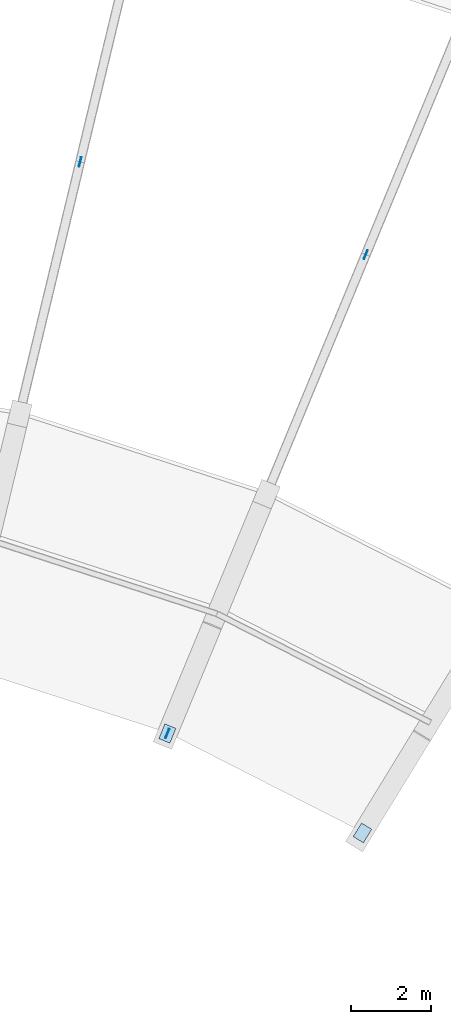
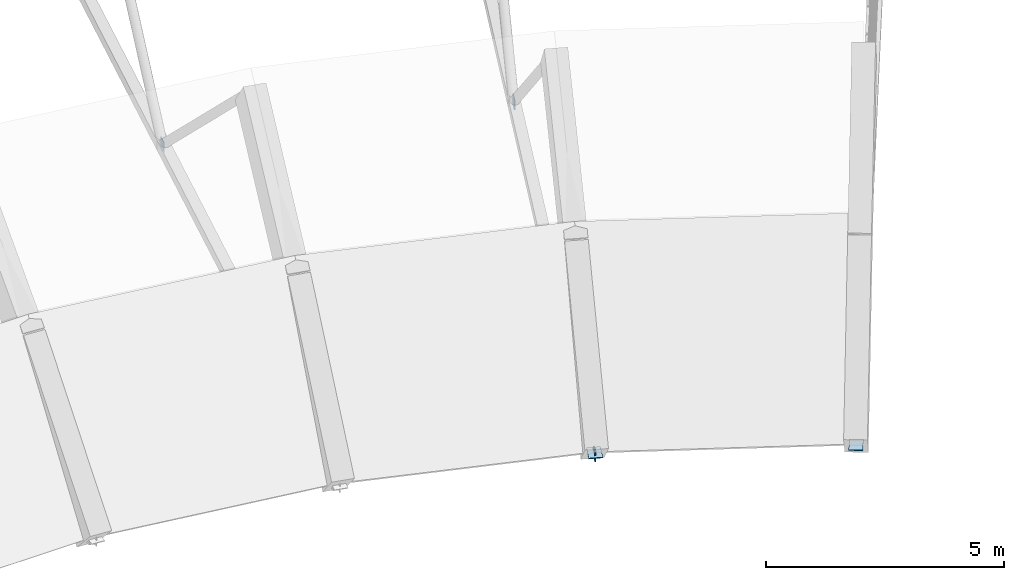
# One storey, part 25 of 34: 5 plates.
"""IFC4 building model written with IfcOpenShell, lengths in metres."""

import ifcopenshell
import ifcopenshell.guid

model = None  # the IFC model being written
_history = None  # IfcOwnerHistory: only IFC2X3 demands one
_inside = {}  # id of a spatial element -> (the spatial element, [elements in it])
_under = {}  # id of a project, library or spatial element -> (it, [spatial elements below it])
_declared = {}  # id of a project -> (the project, [libraries it declares])
_typed = {}  # id of a type object -> (the type object, [elements of that type])
_made_of = {}  # id of a material, layer set ... -> (it, [elements and type objects made of it])


def new_model(schema):
    """Start an empty IFC model of exactly this schema.

    Asked for "IFC4X3", IfcOpenShell would pick the latest addendum, in which some entities
    have other attributes; the version numbers below select the first issue.
    IFC2X3 requires an IfcOwnerHistory on every rooted entity: one is made here for all.
    """
    global model, _history
    if schema == "IFC4X3":
        model = ifcopenshell.file(schema_version=(4, 3, 0, 0))
    else:
        model = ifcopenshell.file(schema=schema)
    _inside.clear()
    _under.clear()
    _declared.clear()
    _typed.clear()
    _made_of.clear()
    _history = None
    if model.schema == "IFC2X3":
        org = make("IfcOrganization", Name="unknown")
        user = make(
            "IfcPersonAndOrganization",
            ThePerson=make("IfcPerson", FamilyName="unknown"),
            TheOrganization=org,
        )
        app = make(
            "IfcApplication",
            ApplicationDeveloper=org,
            Version="unknown",
            ApplicationFullName="unknown",
            ApplicationIdentifier="unknown",
        )
        _history = make(
            "IfcOwnerHistory",
            OwningUser=user,
            OwningApplication=app,
            ChangeAction="ADDED",
            CreationDate=0,
        )
    return model


def make(cls, **values):
    """One entity of the class cls with the attributes given. An attribute that is None is left unset."""
    return model.create_entity(
        cls, **{name: value for name, value in values.items() if value is not None}
    )


def rooted(cls, **values):
    """An entity with a GlobalId (a new one), such as an element, a storey or a relation."""
    return make(cls, GlobalId=ifcopenshell.guid.new(), OwnerHistory=_history, **values)


def si_unit(unit_type, name, prefix=None):
    """IfcSIUnit, for example si_unit("LENGTHUNIT", "METRE", prefix="MILLI")."""
    return make("IfcSIUnit", UnitType=unit_type, Prefix=prefix, Name=name)


def assignment(units):
    """IfcUnitAssignment: the units of a project."""
    return None if units is None else make("IfcUnitAssignment", Units=units)


def point(xyz):
    """IfcCartesianPoint."""
    return None if xyz is None else make("IfcCartesianPoint", Coordinates=xyz)


def direction(xyz):
    """IfcDirection."""
    return None if xyz is None else make("IfcDirection", DirectionRatios=xyz)


def frame(location, z_axis=None, x_axis=None):
    """IfcAxis2Placement3D, a coordinate frame: its origin and axes. An axis left out is left unset."""
    return make(
        "IfcAxis2Placement3D",
        Location=point(location),
        Axis=direction(z_axis),
        RefDirection=direction(x_axis),
    )


def frame_2d(location, x_axis=None):
    """IfcAxis2Placement2D, a coordinate frame in the plane: its origin and x axis."""
    return make(
        "IfcAxis2Placement2D", Location=point(location), RefDirection=direction(x_axis)
    )


def origin():
    """The frame at (0, 0, 0) with its axes left unset."""
    return frame((0.0, 0.0, 0.0))


def origin_2d():
    """The frame at (0, 0) in the plane with its x axis left unset."""
    return frame_2d((0.0, 0.0))


def place(relative_to, where):
    """IfcLocalPlacement: puts the frame where relative to a parent placement (None: the world)."""
    return make(
        "IfcLocalPlacement", PlacementRelTo=relative_to, RelativePlacement=where
    )


def context(
    kind, dimensions, precision=None, world=None, true_north=None, identifier=None
):
    """IfcGeometricRepresentationContext, for example the 3D "Model" context."""
    return make(
        "IfcGeometricRepresentationContext",
        ContextIdentifier=identifier,
        ContextType=kind,
        CoordinateSpaceDimension=dimensions,
        Precision=precision,
        WorldCoordinateSystem=world,
        TrueNorth=true_north,
    )


def subcontext(parent, identifier, kind, view, scale=None):
    """IfcGeometricRepresentationSubContext, for example "Body" below "Model"."""
    return make(
        "IfcGeometricRepresentationSubContext",
        ContextIdentifier=identifier,
        ContextType=kind,
        ParentContext=parent,
        TargetScale=scale,
        TargetView=view,
    )


def project(units=None, contexts=None):
    """IfcProject with its units and contexts."""
    return rooted(
        "IfcProject",
        Name="project",
        RepresentationContexts=contexts,
        UnitsInContext=assignment(units),
    )


def spatial(cls, under=None, at=None, **own):
    """A site, building, storey or space (cls), placed at a placement, below another one or the project."""
    s = rooted(cls, ObjectPlacement=at, **own)
    if under is not None:
        _under.setdefault(under.id(), (under, []))[1].append(s)
    return s


def profile(cls, at=None, kind="AREA", **sizes):
    """A parametric profile (cls). Its sizes go by their IFC names, for example OverallWidth=200.0."""
    return make(cls, ProfileType=kind, Position=at, **sizes)


def rectangle(**sizes):
    """IfcRectangleProfileDef."""
    return profile("IfcRectangleProfileDef", **sizes)


def extrude(swept, where, along, depth):
    """IfcExtrudedAreaSolid: the profile swept, set in the frame where, extruded along a direction by depth."""
    return make(
        "IfcExtrudedAreaSolid",
        SweptArea=swept,
        Position=where,
        ExtrudedDirection=direction(along),
        Depth=depth,
    )


def shape(context_of_items, identifier, shape_type, items):
    """IfcShapeRepresentation: the items that make up one representation, for example the "Body"."""
    return make(
        "IfcShapeRepresentation",
        ContextOfItems=context_of_items,
        RepresentationIdentifier=identifier,
        RepresentationType=shape_type,
        Items=items,
    )


def material(Name=None, Category=None):
    """IfcMaterial."""
    return make("IfcMaterial", Name=Name, Category=Category)


def layer(
    of_material, thickness, ventilated=None, Name=None, Category=None, Priority=None
):
    """IfcMaterialLayer: one layer of a wall or slab, of a material (None: an air gap)."""
    return make(
        "IfcMaterialLayer",
        Material=of_material,
        LayerThickness=thickness,
        IsVentilated=ventilated,
        Name=Name,
        Category=Category,
        Priority=Priority,
    )


def layer_set(layers, Name=None):
    """IfcMaterialLayerSet."""
    return make("IfcMaterialLayerSet", MaterialLayers=layers, LayerSetName=Name)


def made_of(thing, what):
    """Note that an element or type object is made of a material, layer set ...; save() writes the relation."""
    if what is not None:
        _made_of.setdefault(what.id(), (what, []))[1].append(thing)
    return thing


def type_object(cls, material=None, **own):
    """A type object (cls), such as IfcWallType, which elements share."""
    return made_of(rooted(cls, **own), material)


def element(
    cls,
    number,
    at=None,
    inside=None,
    cuts=None,
    type_object=None,
    material=None,
    context=None,
    identifier="Body",
    shape_type=None,
    held_by="IfcProductDefinitionShape",
    body=None,
    shapes=None,
    **own,
):
    """One element of the class cls, such as IfcWall. Its Tag is "e" and its number.

    at: its placement. inside: the storey or other place that contains it. cuts: it is an
    opening in that element (IfcRelVoidsElement). A single representation is given by context,
    identifier, shape_type and body (its items); several are given by shapes. held_by: the class
    of the entity that holds the representations. save() writes the other relations.
    """
    e = rooted(cls, Tag="e%d" % number, ObjectPlacement=at, **own)
    if body is not None:
        shapes = [shape(context, identifier, shape_type, body)]
    if shapes is not None:
        e.Representation = make(held_by, Representations=shapes)
    if inside is not None:
        _inside.setdefault(inside.id(), (inside, []))[1].append(e)
    if cuts is not None:
        rooted(
            "IfcRelVoidsElement", RelatingBuildingElement=cuts, RelatedOpeningElement=e
        )
    if type_object is not None:
        _typed.setdefault(type_object.id(), (type_object, []))[1].append(e)
    return made_of(e, material)


def aggregate(whole, parts):
    """IfcRelAggregates: a whole, such as a stair, and the parts it consists of."""
    return rooted("IfcRelAggregates", RelatingObject=whole, RelatedObjects=parts)


def save(model, path):
    """Write the relations noted so far, then the file.

    IfcRelAggregates (storeys below a building ...), IfcRelContainedInSpatialStructure (elements
    in a storey), IfcRelDefinesByType, IfcRelAssociatesMaterial and IfcRelDeclares: one each for
    every whole, place, type object, material and project.
    """
    for whole, parts in _under.values():
        aggregate(whole, parts)
    for where, things in _inside.values():
        rooted(
            "IfcRelContainedInSpatialStructure",
            RelatedElements=things,
            RelatingStructure=where,
        )
    for kind, things in _typed.values():
        rooted("IfcRelDefinesByType", RelatedObjects=things, RelatingType=kind)
    for what, things in _made_of.values():
        rooted("IfcRelAssociatesMaterial", RelatedObjects=things, RelatingMaterial=what)
    for by, libraries in _declared.values():
        rooted("IfcRelDeclares", RelatingContext=by, RelatedDefinitions=libraries)
    model.write(path)


model = new_model("IFC4")

# Units and contexts
model_context = context("Model", 3, precision=1e-05, world=origin(), true_north=direction((0.0, 1.0)))
body_context = subcontext(model_context, "Body", "Model", "MODEL_VIEW")
ifc_project = project(units=[si_unit("LENGTHUNIT", "METRE"), si_unit("AREAUNIT", "SQUARE_METRE"), si_unit("VOLUMEUNIT", "CUBIC_METRE"), si_unit("PLANEANGLEUNIT", "RADIAN"), si_unit("MASSUNIT", "GRAM", prefix="KILO")], contexts=[model_context])

# Site, building, storey
site_placement = place(None, origin())
site = spatial("IfcSite", under=ifc_project, at=site_placement, CompositionType="ELEMENT")
building_placement = place(site_placement, origin())
building = spatial("IfcBuilding", under=site, at=building_placement, Name="Miralva Faculty of Natural Sciences", CompositionType="ELEMENT")
storey_placement = place(building_placement, frame((0.0, 0.0, 24.0)))
storey = spatial("IfcBuildingStorey", under=building, at=storey_placement, Name="L05", CompositionType="ELEMENT", Elevation=24.0)

# Plates
ifc_material = material(Name="Steel S355", Category="steel")
ifc_layer_1 = layer(ifc_material, 0.02490234375, Name="PLT-BP02")
ifc_layer_set_1 = layer_set([ifc_layer_1], Name="Steel S355")
plate_type_1 = type_object("IfcPlateType", Name="PLT-BP02", PredefinedType="SHEET", material=ifc_layer_set_1)
for number, where, z_axis, x_axis, name in (
    (1, (101.205322265625, 25.673828125, -0.16015625), (0.0, 0.0, 1.0), (0.233445363856, 0.972369920398, 0.0), "Shell truss diagonal gusset plate 06-3"),
    (2, (103.393798828125, 11.335693359375, -0.16015625), (0.0, 0.0, 1.0), (0.382683432365, 0.923879532511, 0.0), "Shell truss diagonal gusset plate 07-1"),
    (3, (108.368896484375, 23.34619140625, -0.16015625), (0.0, 0.0, 1.0), (0.382683432365, 0.923879532511, 0.0), "Shell truss diagonal gusset plate 07-3"),
):
    element("IfcPlate", number, at=place(storey_placement, frame(where, z_axis=z_axis, x_axis=x_axis)), inside=storey, type_object=plate_type_1, Name=name, PredefinedType="SHEET", context=body_context, shape_type="SweptSolid", body=[
        extrude(rectangle(XDim=0.239990234375, YDim=0.02001953125, at=origin_2d()), origin(), (0.0, 0.0, 1.0), 0.239990234375),
    ])
ifc_layer_2 = layer(ifc_material, 0.02001953125, Name="PLT-BP03")
ifc_layer_set_2 = layer_set([ifc_layer_2], Name="Steel S355")
plate_type_2 = type_object("IfcPlateType", Name="PLT-BP03", PredefinedType="SHEET", material=ifc_layer_set_2)
for number, where, z_axis, x_axis, name in (
    (4, (103.393798828125, 11.335693359375, -0.02001953125), (0.0, 0.0, 1.0), (0.382683432365, 0.923879532511, 0.0), "Shell springing bearing plate EB-07-IN"),
    (5, (108.287353515625, 8.84228515625, -0.02001953125), (0.0, 0.0, 1.0), (0.522498564716, 0.852640164354, 0.0), "Shell springing bearing plate EB-08-IN"),
):
    element("IfcPlate", number, at=place(storey_placement, frame(where, z_axis=z_axis, x_axis=x_axis)), inside=storey, type_object=plate_type_2, Name=name, PredefinedType="SHEET", context=body_context, shape_type="SweptSolid", body=[
        extrude(rectangle(XDim=0.39990234375, YDim=0.300048828125, at=origin_2d()), origin(), (0.0, 0.0, 1.0), 0.02001953125),
    ])

save(model, "model.ifc")
